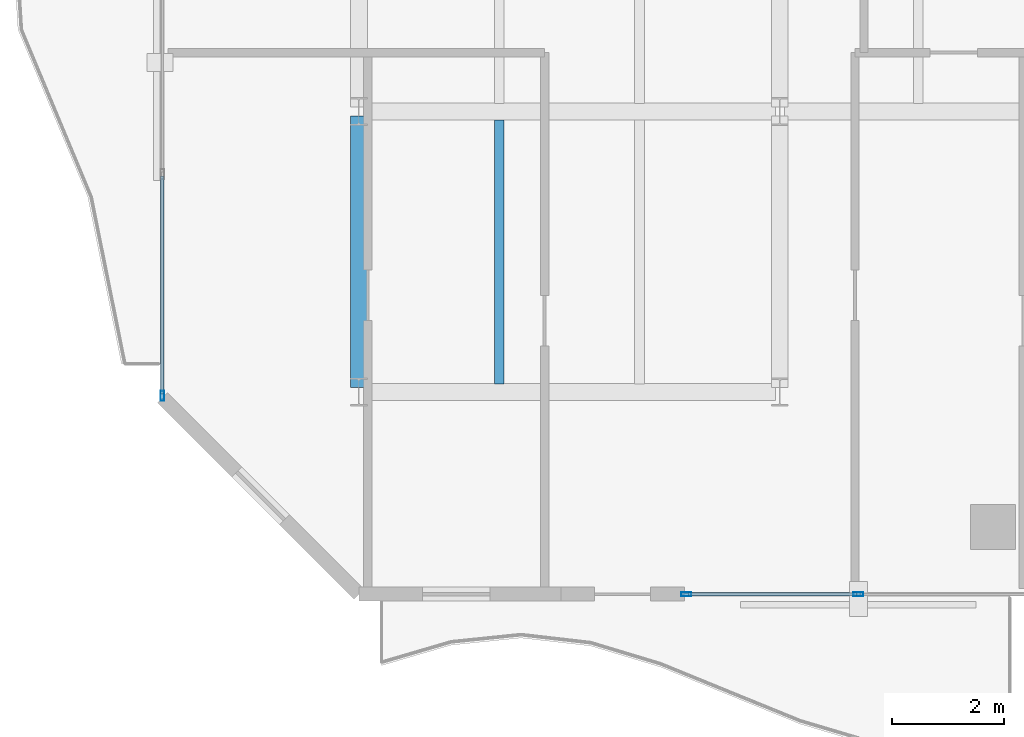
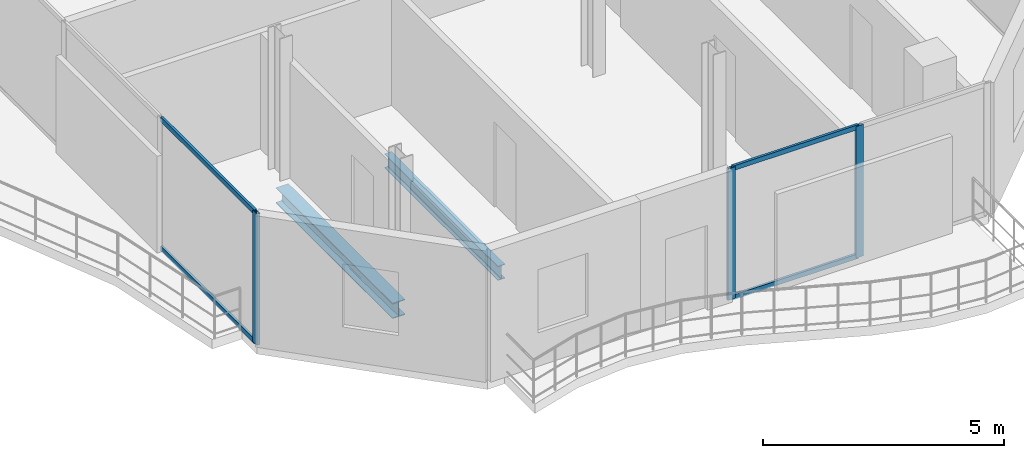
# One storey, part 3 of 23: 7 members, 2 beams, 2 elements without a shape of their own.
"""IFC4 building model written with IfcOpenShell, lengths in metres."""

from ifc_helpers import new_model, si_unit, direction, frame, origin, origin_2d, place, context, subcontext, project, spatial, hollow_rectangle, i_section, extrude, material, layer, layer_set, material_profile, profile_set, type_object, element, aggregate, save


model = new_model("IFC4")

# Units and contexts
model_context = context("Model", 3, precision=1e-05, world=origin(), true_north=direction((0.0, 1.0)))
body_context = subcontext(model_context, "Body", "Model", "MODEL_VIEW")
ifc_project = project(units=[si_unit("LENGTHUNIT", "METRE"), si_unit("AREAUNIT", "SQUARE_METRE"), si_unit("VOLUMEUNIT", "CUBIC_METRE"), si_unit("PLANEANGLEUNIT", "RADIAN"), si_unit("MASSUNIT", "GRAM", prefix="KILO")], contexts=[model_context])

# Site, building, storey
site_placement = place(None, origin())
site = spatial("IfcSite", under=ifc_project, at=site_placement, CompositionType="ELEMENT")
building_placement = place(site_placement, origin())
building = spatial("IfcBuilding", under=site, at=building_placement, Name="Catumbela Crestline Tower", CompositionType="ELEMENT")
storey_placement = place(building_placement, frame((0.0, 0.0, 165.0)))
storey = spatial("IfcBuildingStorey", under=building, at=storey_placement, Name="L42", CompositionType="ELEMENT", Elevation=165.0)

# Beams
ifc_material_1 = material(Name="Structural steel S355J2", Category="steel")
ifc_material_profile_1 = material_profile(ifc_material_1, i_section(OverallWidth=0.3, OverallDepth=0.39, WebThickness=0.011, FlangeThickness=0.019, FilletRadius=0.027, at=origin_2d()), Name="HEA 400")
ifc_profile_set_1 = profile_set([ifc_material_profile_1], Name="Structural steel S355J2")
beam_type_1 = type_object("IfcBeamType", Name="BG-HEA400", PredefinedType="BEAM", material=ifc_profile_set_1)
beam_1_placement = place(storey_placement, frame((8.5, 8.68, -0.455), z_axis=(0.0, 1.0, 0.0), x_axis=(-1.0, 0.0, 0.0)))
element("IfcBeam", 1, at=beam_1_placement, inside=storey, type_object=beam_type_1, Name="L42 Beam BM-L42-WNS37", PredefinedType="BEAM", context=body_context, shape_type="SweptSolid", body=[
    extrude(i_section(OverallWidth=0.3, OverallDepth=0.39, WebThickness=0.011, FlangeThickness=0.019, FilletRadius=0.027, at=origin_2d()), origin(), (0.0, 0.0, 1.0), 4.84),
])
ifc_material_profile_2 = material_profile(ifc_material_1, i_section(OverallWidth=0.17, OverallDepth=0.36, WebThickness=0.008, FlangeThickness=0.0127, FilletRadius=0.018, at=origin_2d()), Name="IPE 360")
ifc_profile_set_2 = profile_set([ifc_material_profile_2], Name="Structural steel S355J2")
beam_type_2 = type_object("IfcBeamType", Name="BJ-IPE360", PredefinedType="JOIST", material=ifc_profile_set_2)
beam_2_placement = place(storey_placement, frame((11.0, 8.747, -0.44), z_axis=(0.0, 1.0, 0.0), x_axis=(-1.0, 0.0, 0.0)))
element("IfcBeam", 2, at=beam_2_placement, inside=storey, type_object=beam_type_2, Name="L42 Joist JS-L42-WG44", PredefinedType="JOIST", context=body_context, shape_type="SweptSolid", body=[
    extrude(i_section(OverallWidth=0.17, OverallDepth=0.36, WebThickness=0.008, FlangeThickness=0.0127, FilletRadius=0.018, at=origin_2d()), origin(), (0.0, 0.0, 1.0), 4.706),
])

# Curtain wall, members
ifc_material_2 = material(Name="Aluminium alloy AW-6060-T66", Category="aluminium")
ifc_layer = layer(ifc_material_2, 0.18, Name="Aluminium alloy AW-6060-T66")
ifc_layer_set = layer_set([ifc_layer], Name="Aluminium alloy AW-6060-T66")
curtain_wall_type = type_object("IfcCurtainWallType", Name="CWU-Z3", PredefinedType="USERDEFINED", material=ifc_layer_set)
curtain_wall_1_placement = place(storey_placement, origin())
curtain_wall_1 = element("IfcCurtainWall", 3, at=curtain_wall_1_placement, inside=storey, type_object=curtain_wall_type, Name="L42 Unitised Curtain Wall CW-L42-E0S2", ObjectType="UNITISED", PredefinedType="USERDEFINED")
ifc_material_profile_3 = material_profile(ifc_material_2, hollow_rectangle(XDim=0.065, YDim=0.18, WallThickness=0.004, at=origin_2d()), Name="ALU 180x65x4")
ifc_profile_set_3 = profile_set([ifc_material_profile_3], Name="Aluminium alloy AW-6060-T66")
member_type_1 = type_object("IfcMemberType", Name="MUL-180X65", PredefinedType="MULLION", material=ifc_profile_set_3)
member_1_placement = place(storey_placement, frame((14.3325, 5.0, 0.0), z_axis=(0.0, 0.0, 1.0), x_axis=(0.0, 1.0, 0.0)))
member_1 = element("IfcMember", 4, at=member_1_placement, type_object=member_type_1, Name="CWU-Z3 mullion 1", PredefinedType="MULLION", context=body_context, shape_type="SweptSolid", body=[
    extrude(hollow_rectangle(XDim=0.065, YDim=0.18, WallThickness=0.004, at=origin_2d()), origin(), (0.0, 0.0, 1.0), 3.33),
])
member_2_placement = place(storey_placement, frame((17.4, 5.0, 0.0), z_axis=(0.0, 0.0, 1.0), x_axis=(0.0, 1.0, 0.0)))
member_2 = element("IfcMember", 5, at=member_2_placement, type_object=member_type_1, Name="CWU-Z3 mullion 2", PredefinedType="MULLION", context=body_context, shape_type="SweptSolid", body=[
    extrude(hollow_rectangle(XDim=0.065, YDim=0.18, WallThickness=0.004, at=origin_2d()), origin(), (0.0, 0.0, 1.0), 3.33),
])

# Curtain wall, member
curtain_wall_2_placement = place(storey_placement, origin())
curtain_wall_2 = element("IfcCurtainWall", 6, at=curtain_wall_2_placement, inside=storey, type_object=curtain_wall_type, Name="L42 Unitised Curtain Wall CW-L42-E9S2", ObjectType="UNITISED", PredefinedType="USERDEFINED")
member_3_placement = place(storey_placement, frame((5.0, 8.5325, 0.0), z_axis=(0.0, 0.0, 1.0), x_axis=(1.0, 0.0, 0.0)))
member_3 = element("IfcMember", 7, at=member_3_placement, type_object=member_type_1, Name="CWU-Z3 mullion 7", PredefinedType="MULLION", context=body_context, shape_type="SweptSolid", body=[
    extrude(hollow_rectangle(XDim=0.065, YDim=0.18, WallThickness=0.004, at=origin_2d()), origin(), (0.0, 0.0, 1.0), 3.33),
])

# Member
ifc_material_profile_4 = material_profile(ifc_material_2, hollow_rectangle(XDim=0.06, YDim=0.12, WallThickness=0.0035, at=origin_2d()), Name="ALU 120x60x3.5")
ifc_profile_set_4 = profile_set([ifc_material_profile_4], Name="Aluminium alloy AW-6060-T66")
member_type_2 = type_object("IfcMemberType", Name="TRN-120X60", PredefinedType="USERDEFINED", material=ifc_profile_set_4)
member_4_placement = place(storey_placement, frame((14.365, 5.0, 0.03), z_axis=(1.0, 0.0, 0.0), x_axis=(0.0, 1.0, 0.0)))
member_4 = element("IfcMember", 8, at=member_4_placement, type_object=member_type_2, Name="CWU-Z3 transom 1.1", ObjectType="TRANSOM", PredefinedType="USERDEFINED", context=body_context, shape_type="SweptSolid", body=[
    extrude(hollow_rectangle(XDim=0.06, YDim=0.12, WallThickness=0.0035, at=origin_2d()), origin(), (0.0, 0.0, 1.0), 3.0025),
])

member_5_placement = place(storey_placement, frame((14.365, 5.0, 3.3), z_axis=(1.0, 0.0, 0.0), x_axis=(0.0, 1.0, 0.0)))
member_5 = element("IfcMember", 9, at=member_5_placement, type_object=member_type_2, Name="CWU-Z3 transom 1.2", ObjectType="TRANSOM", PredefinedType="USERDEFINED", context=body_context, shape_type="SweptSolid", body=[
    extrude(hollow_rectangle(XDim=0.06, YDim=0.12, WallThickness=0.0035, at=origin_2d()), origin(), (0.0, 0.0, 1.0), 3.0025),
])

aggregate(curtain_wall_1, [member_1, member_2, member_4, member_5])

member_6_placement = place(storey_placement, frame((5.0, 12.4508, 0.03), z_axis=(0.0, -1.0, 0.0), x_axis=(1.0, 0.0, 0.0)))
member_6 = element("IfcMember", 10, at=member_6_placement, type_object=member_type_2, Name="CWU-Z3 transom 6.1", ObjectType="TRANSOM", PredefinedType="USERDEFINED", context=body_context, shape_type="SweptSolid", body=[
    extrude(hollow_rectangle(XDim=0.06, YDim=0.12, WallThickness=0.0035, at=origin_2d()), origin(), (0.0, 0.0, 1.0), 3.8858),
])

member_7_placement = place(storey_placement, frame((5.0, 12.4508, 3.3), z_axis=(0.0, -1.0, 0.0), x_axis=(1.0, 0.0, 0.0)))
member_7 = element("IfcMember", 11, at=member_7_placement, type_object=member_type_2, Name="CWU-Z3 transom 6.2", ObjectType="TRANSOM", PredefinedType="USERDEFINED", context=body_context, shape_type="SweptSolid", body=[
    extrude(hollow_rectangle(XDim=0.06, YDim=0.12, WallThickness=0.0035, at=origin_2d()), origin(), (0.0, 0.0, 1.0), 3.8858),
])

aggregate(curtain_wall_2, [member_3, member_6, member_7])

save(model, "model.ifc")
